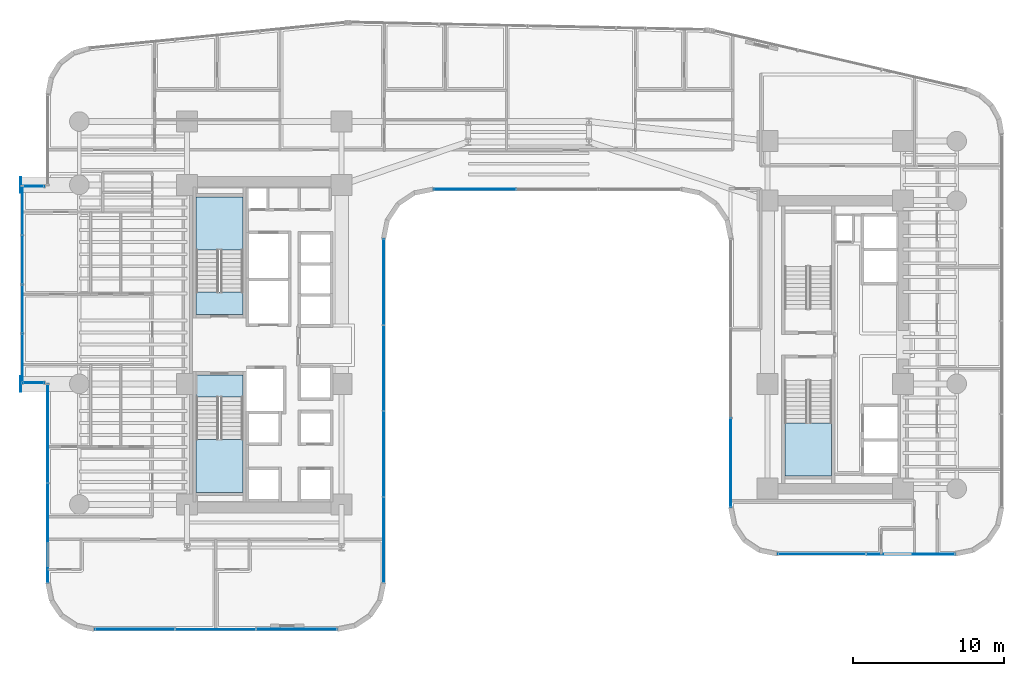
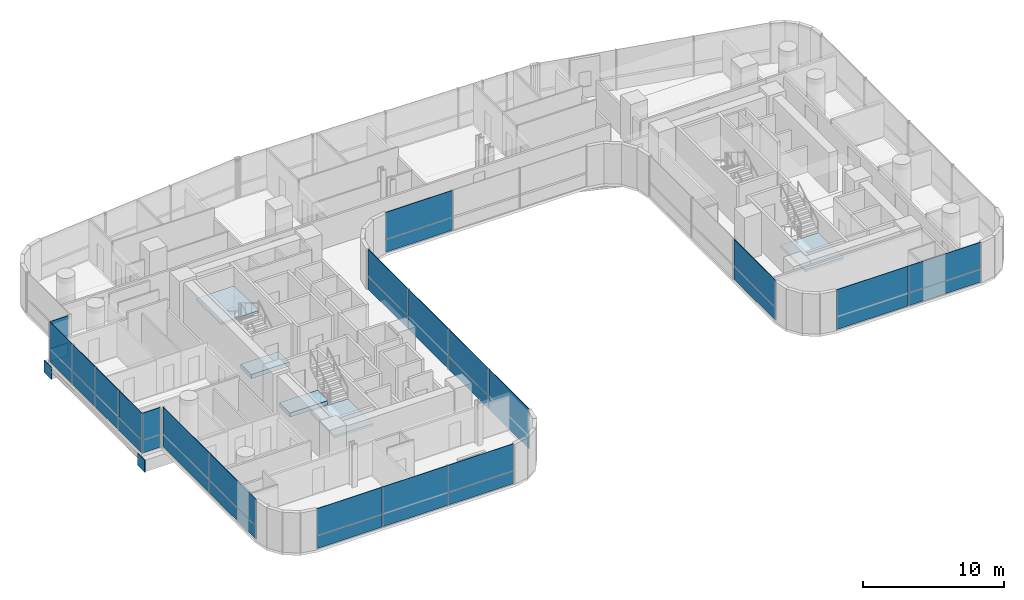
# One storey, part 27 of 40: 33 plates, 5 slabs, 12 elements without a shape of their own.
"""IFC4 building model written with IfcOpenShell, lengths in metres."""

from ifc_helpers import new_model, si_unit, direction, frame, origin, origin_2d, place, context, subcontext, project, spatial, polyline, rectangle, outline, extrude, source, transform, mapped, material, layer, layer_set, type_object, element, aggregate, save


model = new_model("IFC4")

# Units and contexts
model_context = context("Model", 3, precision=1e-05, world=origin(), true_north=direction((0.0, 1.0)))
body_context = subcontext(model_context, "Body", "Model", "MODEL_VIEW")
ifc_project = project(units=[si_unit("LENGTHUNIT", "METRE"), si_unit("AREAUNIT", "SQUARE_METRE"), si_unit("VOLUMEUNIT", "CUBIC_METRE"), si_unit("PLANEANGLEUNIT", "RADIAN"), si_unit("MASSUNIT", "GRAM", prefix="KILO")], contexts=[model_context])

# Site, building, storey
site_placement = place(None, origin())
site = spatial("IfcSite", under=ifc_project, at=site_placement, CompositionType="ELEMENT")
building_placement = place(site_placement, origin())
building = spatial("IfcBuilding", under=site, at=building_placement, Name="Valdorenza Pilgrim Sanctuary Tower", CompositionType="ELEMENT")
storey_placement = place(building_placement, frame((0.0, 0.0, 40.800048828125)))
storey = spatial("IfcBuildingStorey", under=building, at=storey_placement, Name="L09", CompositionType="ELEMENT", Elevation=40.800048828125)

# Stair, slab
ifc_material_1 = material(Name="Concrete C40/50", Category="concrete")
stair_type = type_object("IfcStairType", Name="STR-DOG-CORE", PredefinedType="HALF_TURN_STAIR", material=ifc_material_1)
stair_1_placement = place(storey_placement, origin())
stair_1 = element("IfcStair", 1, at=stair_1_placement, inside=storey, type_object=stair_type, Name="L09 ST-A1", PredefinedType="HALF_TURN_STAIR")
ifc_layer_1 = layer(ifc_material_1, 0.199951171875, Name="Concrete C40/50")
ifc_layer_set_1 = layer_set([ifc_layer_1], Name="Concrete C40/50")
slab_type_1 = type_object("IfcSlabType", Name="SLAB-STL-200", PredefinedType="LANDING", material=ifc_layer_set_1)
slab_1_placement = place(storey_placement, frame((0.0, 0.0, 1.64990234375)))
slab_1 = element("IfcSlab", 2, at=slab_1_placement, type_object=slab_type_1, Name="ST-A1 landing 1", PredefinedType="LANDING", context=body_context, shape_type="SweptSolid", body=[
    extrude(outline(polyline([(-18.93994140625, 6.280029296875), (-18.93994140625, 9.800048828125), (-22.050048828125, 9.800048828125), (-22.050048828125, 6.280029296875), (-18.93994140625, 6.280029296875)])), origin(), (0.0, 0.0, 1.0), 0.199951171875),
])
aggregate(stair_1, [slab_1])

stair_2_placement = place(storey_placement, origin())
stair_2 = element("IfcStair", 3, at=stair_2_placement, inside=storey, type_object=stair_type, Name="L09 ST-A2", PredefinedType="HALF_TURN_STAIR")
slab_2_placement = place(storey_placement, frame((0.0, 0.0, 1.64990234375)))
slab_2 = element("IfcSlab", 4, at=slab_2_placement, type_object=slab_type_1, Name="ST-A2 landing 1", PredefinedType="LANDING", context=body_context, shape_type="SweptSolid", body=[
    extrude(outline(polyline([(-22.050048828125, -6.280029296875), (-22.050048828125, -9.800048828125), (-18.93994140625, -9.800048828125), (-18.93994140625, -6.280029296875), (-22.050048828125, -6.280029296875)])), origin(), (0.0, 0.0, 1.0), 0.199951171875),
])
aggregate(stair_2, [slab_2])

stair_3_placement = place(storey_placement, origin())
stair_3 = element("IfcStair", 5, at=stair_3_placement, inside=storey, type_object=stair_type, Name="L09 ST-B2", PredefinedType="HALF_TURN_STAIR")
slab_3_placement = place(storey_placement, frame((0.0, 0.0, 1.64990234375)))
slab_3 = element("IfcSlab", 6, at=slab_3_placement, type_object=slab_type_1, Name="ST-B2 landing 1", PredefinedType="LANDING", context=body_context, shape_type="SweptSolid", body=[
    extrude(outline(polyline([(17.0, -5.179931640625), (17.0, -8.699951171875), (20.110107421875, -8.699951171875), (20.110107421875, -5.179931640625), (17.0, -5.179931640625)])), origin(), (0.0, 0.0, 1.0), 0.199951171875),
])
aggregate(stair_3, [slab_3])

# Slabs
ifc_material_2 = material(Name="Concrete C50/60", Category="concrete")
ifc_layer_2 = layer(ifc_material_2, 0.39990234375, Name="Concrete C50/60")
ifc_layer_set_2 = layer_set([ifc_layer_2], Name="Concrete C50/60")
slab_type_2 = type_object("IfcSlabType", Name="SLAB-TRF-400", PredefinedType="FLOOR", material=ifc_layer_set_2)
slab_4_placement = place(storey_placement, frame((0.0, 0.0, -0.360107421875)))
element("IfcSlab", 7, at=slab_4_placement, inside=storey, type_object=slab_type_2, Name="L09 ST-A1 Structural Stair Landing Bearing Slab", PredefinedType="FLOOR", context=body_context, shape_type="SweptSolid", body=[
    extrude(outline(polyline([(-22.050048828125, 2.0), (-18.93994140625, 2.0), (-18.93994140625, 3.485107421875), (-22.050048828125, 3.485107421875), (-22.050048828125, 2.0)])), origin(), (0.0, 0.0, 1.0), 0.360107421875),
])
slab_5_placement = place(storey_placement, frame((0.0, 0.0, -0.360107421875)))
element("IfcSlab", 8, at=slab_5_placement, inside=storey, type_object=slab_type_2, Name="L09 ST-A2 Structural Stair Landing Bearing Slab", PredefinedType="FLOOR", context=body_context, shape_type="SweptSolid", body=[
    extrude(outline(polyline([(-22.050048828125, -3.485107421875), (-18.93994140625, -3.485107421875), (-18.93994140625, -2.0), (-22.050048828125, -2.0), (-22.050048828125, -3.485107421875)])), origin(), (0.0, 0.0, 1.0), 0.360107421875),
])

# Plates
ifc_material_3 = material(Name="Steel ASTM A572 Grade 42", Category="steel")
ifc_layer_3 = layer(ifc_material_3, 0.06005859375, Name="Steel ASTM A572 Grade 42")
ifc_layer_set_3 = layer_set([ifc_layer_3], Name="Steel ASTM A572 Grade 42")
plate_type_1 = type_object("IfcPlateType", Name="PLT-CAP-60", PredefinedType="SHEET", material=ifc_layer_set_3)
shared_shape_1 = source(origin(), body_context, "Body", "SweptSolid", [
    extrude(rectangle(XDim=0.06005859375, YDim=1.0400390625, at=origin_2d()), origin(), (0.0, 0.0, 1.0), 1.0400390625),
])
for number, where, z_axis, x_axis, name in (
    (9, (-33.679931640625, 10.60009765625, -1.260009765625), (0.0, 0.0, 1.0), (1.0, 0.0, 0.0), "L09 BOX-WA-L09 Cantilever Tip End Cap N"),
    (10, (-33.679931640625, -2.60009765625, -1.260009765625), (0.0, 0.0, 1.0), (1.0, 0.0, 0.0), "L09 BOX-WA-L09 Cantilever Tip End Cap S"),
):
    element("IfcPlate", number, at=place(storey_placement, frame(where, z_axis=z_axis, x_axis=x_axis)), inside=storey, type_object=plate_type_1, Name=name, PredefinedType="SHEET", context=body_context, shape_type="MappedRepresentation", body=[
        mapped(shared_shape_1, transform((0.0, 0.0, 0.0), x_axis=(1.0, 0.0, 0.0), y_axis=(0.0, 1.0, 0.0), z_axis=(0.0, 0.0, 1.0), scale=1.0)),
    ])

# Curtain wall, plates
ifc_material_4 = material(Name="Curtain-wall IGU glazing", Category="glass")
curtain_wall_type_1 = type_object("IfcCurtainWallType", Name="CW-SYS-03", PredefinedType="NOTDEFINED", material=ifc_material_4)
curtain_wall_1_placement = place(storey_placement, origin())
curtain_wall_1 = element("IfcCurtainWall", 11, at=curtain_wall_1_placement, inside=storey, type_object=curtain_wall_type_1, Name="L09 Curtain Wall CW-L09-1-26", PredefinedType="NOTDEFINED")
ifc_material_5 = material(Name="Honed travertine limestone", Category="masonry")
ifc_layer_4 = layer(ifc_material_5, 0.050048828125, Name="Honed travertine limestone")
ifc_layer_set_4 = layer_set([ifc_layer_4], Name="Honed travertine limestone")
plate_type_2 = type_object("IfcPlateType", Name="CW-SPN-TRV", PredefinedType="USERDEFINED", material=ifc_layer_set_4)
shared_shape_2 = source(origin(), body_context, "Body", "SweptSolid", [
    extrude(rectangle(XDim=5.869140625, YDim=0.06005859375, at=origin_2d()), origin(), (0.0, 0.0, 1.0), 1.10009765625),
])
plate_1_placement = place(storey_placement, frame((25.344482421875, -13.889892578125, 0.010009765625), z_axis=(0.0, 0.0, 1.0), x_axis=(-1.0, 0.0, 0.0)))
plate_1 = element("IfcPlate", 12, at=plate_1_placement, type_object=plate_type_2, Name="CW-L09-1-26 Travertine Spandrel 1", ObjectType="SPANDREL", PredefinedType="USERDEFINED", context=body_context, shape_type="MappedRepresentation", body=[
    mapped(shared_shape_2, transform((0.0, 0.0, 0.0), x_axis=(1.0, 0.0, 0.0), y_axis=(0.0, 1.0, 0.0), z_axis=(0.0, 0.0, 1.0), scale=1.0)),
])
ifc_material_6 = material(Name="Ceramic-fritted low-E IGU glazing", Category="glass")
ifc_layer_5 = layer(ifc_material_6, 0.035888671875, Name="Ceramic-fritted low-E IGU glazing")
ifc_layer_set_5 = layer_set([ifc_layer_5], Name="Ceramic-fritted low-E IGU glazing")
plate_type_3 = type_object("IfcPlateType", Name="CW-GLZ-IGU", PredefinedType="USERDEFINED", material=ifc_layer_set_5)
shared_shape_3 = source(origin(), body_context, "Body", "SweptSolid", [
    extrude(rectangle(XDim=5.869140625, YDim=0.050048828125, at=origin_2d()), origin(), (0.0, 0.0, 1.0), 2.320068359375),
])
plate_2_placement = place(storey_placement, frame((25.344482421875, -13.889892578125, 1.1298828125), z_axis=(0.0, 0.0, 1.0), x_axis=(-1.0, 0.0, 0.0)))
plate_2 = element("IfcPlate", 13, at=plate_2_placement, type_object=plate_type_3, Name="CW-L09-1-26 Facade Panel 1", ObjectType="GLAZING", PredefinedType="USERDEFINED", context=body_context, shape_type="MappedRepresentation", body=[
    mapped(shared_shape_3, transform((0.0, 0.0, 0.0), x_axis=(1.0, 0.0, 0.0), y_axis=(0.0, 1.0, 0.0), z_axis=(0.0, 0.0, 1.0), scale=1.0)),
])
shared_shape_4 = source(origin(), body_context, "Body", "SweptSolid", [
    extrude(rectangle(XDim=5.869140625, YDim=0.050048828125, at=origin_2d()), origin(), (0.0, 0.0, 1.0), 3.43994140625),
])
plate_3_placement = place(storey_placement, frame((19.455322265625, -13.889892578125, 0.010009765625), z_axis=(0.0, 0.0, 1.0), x_axis=(-1.0, 0.0, 0.0)))
plate_3 = element("IfcPlate", 14, at=plate_3_placement, type_object=plate_type_3, Name="CW-L09-1-26 Full-Height Facade Panel 2", ObjectType="GLAZING", PredefinedType="USERDEFINED", context=body_context, shape_type="MappedRepresentation", body=[
    mapped(shared_shape_4, transform((0.0, 0.0, 0.0), x_axis=(1.0, 0.0, 0.0), y_axis=(0.0, 1.0, 0.0), z_axis=(0.0, 0.0, 1.0), scale=1.0)),
])
aggregate(curtain_wall_1, [plate_1, plate_2, plate_3])

curtain_wall_2_placement = place(storey_placement, origin())
curtain_wall_2 = element("IfcCurtainWall", 15, at=curtain_wall_2_placement, inside=storey, type_object=curtain_wall_type_1, Name="L09 Curtain Wall CW-L09-1-31", PredefinedType="NOTDEFINED")
shared_shape_5 = source(origin(), body_context, "Body", "SweptSolid", [
    extrude(rectangle(XDim=5.913330078125, YDim=0.06005859375, at=origin_2d()), origin(), (0.0, 0.0, 1.0), 1.10009765625),
])
plate_4_placement = place(storey_placement, frame((13.409912109375, -7.822509765625, 0.010009765625), z_axis=(0.0, 0.0, 1.0), x_axis=(0.0, 1.0, 0.0)))
plate_4 = element("IfcPlate", 16, at=plate_4_placement, type_object=plate_type_2, Name="CW-L09-1-31 Travertine Spandrel 1", ObjectType="SPANDREL", PredefinedType="USERDEFINED", context=body_context, shape_type="MappedRepresentation", body=[
    mapped(shared_shape_5, transform((0.0, 0.0, 0.0), x_axis=(1.0, 0.0, 0.0), y_axis=(0.0, 1.0, 0.0), z_axis=(0.0, 0.0, 1.0), scale=1.0)),
])
shared_shape_6 = source(origin(), body_context, "Body", "SweptSolid", [
    extrude(rectangle(XDim=5.913330078125, YDim=0.050048828125, at=origin_2d()), origin(), (0.0, 0.0, 1.0), 2.320068359375),
])
plate_5_placement = place(storey_placement, frame((13.409912109375, -7.822509765625, 1.1298828125), z_axis=(0.0, 0.0, 1.0), x_axis=(0.0, 1.0, 0.0)))
plate_5 = element("IfcPlate", 17, at=plate_5_placement, type_object=plate_type_3, Name="CW-L09-1-31 Facade Panel 1", ObjectType="GLAZING", PredefinedType="USERDEFINED", context=body_context, shape_type="MappedRepresentation", body=[
    mapped(shared_shape_6, transform((0.0, 0.0, 0.0), x_axis=(1.0, 0.0, 0.0), y_axis=(0.0, 1.0, 0.0), z_axis=(0.0, 0.0, 1.0), scale=1.0)),
])
aggregate(curtain_wall_2, [plate_4, plate_5])

curtain_wall_type_2 = type_object("IfcCurtainWallType", Name="CW-SYS-02", PredefinedType="NOTDEFINED", material=ifc_material_4)
curtain_wall_3_placement = place(storey_placement, origin())
curtain_wall_3 = element("IfcCurtainWall", 18, at=curtain_wall_3_placement, inside=storey, type_object=curtain_wall_type_2, Name="L09 Curtain Wall CW-L09-1-36", PredefinedType="NOTDEFINED")
shared_shape_7 = source(origin(), body_context, "Body", "SweptSolid", [
    extrude(rectangle(XDim=5.453857421875, YDim=0.06005859375, at=origin_2d()), origin(), (0.0, 0.0, 1.0), 1.10009765625),
])
plate_6_placement = place(storey_placement, frame((-3.573974609375, 10.31005859375, 0.010009765625), z_axis=(0.0, 0.0, 1.0), x_axis=(-1.0, 0.0, 0.0)))
plate_6 = element("IfcPlate", 19, at=plate_6_placement, type_object=plate_type_2, Name="CW-L09-1-36 Travertine Spandrel 3", ObjectType="SPANDREL", PredefinedType="USERDEFINED", context=body_context, shape_type="MappedRepresentation", body=[
    mapped(shared_shape_7, transform((0.0, 0.0, 0.0), x_axis=(1.0, 0.0, 0.0), y_axis=(0.0, 1.0, 0.0), z_axis=(0.0, 0.0, 1.0), scale=1.0)),
])
shared_shape_8 = source(origin(), body_context, "Body", "SweptSolid", [
    extrude(rectangle(XDim=5.453857421875, YDim=0.050048828125, at=origin_2d()), origin(), (0.0, 0.0, 1.0), 2.320068359375),
])
plate_7_placement = place(storey_placement, frame((-3.573974609375, 10.31005859375, 1.1298828125), z_axis=(0.0, 0.0, 1.0), x_axis=(-1.0, 0.0, 0.0)))
plate_7 = element("IfcPlate", 20, at=plate_7_placement, type_object=plate_type_3, Name="CW-L09-1-36 Facade Panel 3", ObjectType="GLAZING", PredefinedType="USERDEFINED", context=body_context, shape_type="MappedRepresentation", body=[
    mapped(shared_shape_8, transform((0.0, 0.0, 0.0), x_axis=(1.0, 0.0, 0.0), y_axis=(0.0, 1.0, 0.0), z_axis=(0.0, 0.0, 1.0), scale=1.0)),
])
aggregate(curtain_wall_3, [plate_6, plate_7])

curtain_wall_4_placement = place(storey_placement, origin())
curtain_wall_4 = element("IfcCurtainWall", 21, at=curtain_wall_4_placement, inside=storey, type_object=curtain_wall_type_2, Name="L09 Curtain Wall CW-L09-1-41", PredefinedType="NOTDEFINED")
shared_shape_9 = source(origin(), body_context, "Body", "SweptSolid", [
    extrude(rectangle(XDim=5.679931640625, YDim=0.06005859375, at=origin_2d()), origin(), (0.0, 0.0, 1.0), 1.10009765625),
])
plate_8_placement = place(storey_placement, frame((-9.610107421875, 4.160888671875, 0.010009765625), z_axis=(0.0, 0.0, 1.0), x_axis=(0.0, -1.0, 0.0)))
plate_8 = element("IfcPlate", 22, at=plate_8_placement, type_object=plate_type_2, Name="CW-L09-1-41 Travertine Spandrel 1", ObjectType="SPANDREL", PredefinedType="USERDEFINED", context=body_context, shape_type="MappedRepresentation", body=[
    mapped(shared_shape_9, transform((0.0, 0.0, 0.0), x_axis=(1.0, 0.0, 0.0), y_axis=(0.0, 1.0, 0.0), z_axis=(0.0, 0.0, 1.0), scale=1.0)),
])
plate_9_placement = place(storey_placement, frame((-9.610107421875, -7.2392578125, 0.010009765625), z_axis=(0.0, 0.0, 1.0), x_axis=(0.0, -1.0, 0.0)))
plate_9 = element("IfcPlate", 23, at=plate_9_placement, type_object=plate_type_2, Name="CW-L09-1-41 Travertine Spandrel 3", ObjectType="SPANDREL", PredefinedType="USERDEFINED", context=body_context, shape_type="MappedRepresentation", body=[
    mapped(shared_shape_9, transform((0.0, 0.0, 0.0), x_axis=(1.0, 0.0, 0.0), y_axis=(0.0, 1.0, 0.0), z_axis=(0.0, 0.0, 1.0), scale=1.0)),
])
shared_shape_10 = source(origin(), body_context, "Body", "SweptSolid", [
    extrude(rectangle(XDim=5.679931640625, YDim=0.050048828125, at=origin_2d()), origin(), (0.0, 0.0, 1.0), 2.320068359375),
])
plate_10_placement = place(storey_placement, frame((-9.610107421875, 4.160888671875, 1.1298828125), z_axis=(0.0, 0.0, 1.0), x_axis=(0.0, -1.0, 0.0)))
plate_10 = element("IfcPlate", 24, at=plate_10_placement, type_object=plate_type_3, Name="CW-L09-1-41 Facade Panel 1", ObjectType="GLAZING", PredefinedType="USERDEFINED", context=body_context, shape_type="MappedRepresentation", body=[
    mapped(shared_shape_10, transform((0.0, 0.0, 0.0), x_axis=(1.0, 0.0, 0.0), y_axis=(0.0, 1.0, 0.0), z_axis=(0.0, 0.0, 1.0), scale=1.0)),
])
plate_11_placement = place(storey_placement, frame((-9.610107421875, -7.2392578125, 1.1298828125), z_axis=(0.0, 0.0, 1.0), x_axis=(0.0, -1.0, 0.0)))
plate_11 = element("IfcPlate", 25, at=plate_11_placement, type_object=plate_type_3, Name="CW-L09-1-41 Facade Panel 3", ObjectType="GLAZING", PredefinedType="USERDEFINED", context=body_context, shape_type="MappedRepresentation", body=[
    mapped(shared_shape_10, transform((0.0, 0.0, 0.0), x_axis=(1.0, 0.0, 0.0), y_axis=(0.0, 1.0, 0.0), z_axis=(0.0, 0.0, 1.0), scale=1.0)),
])
shared_shape_11 = source(origin(), body_context, "Body", "SweptSolid", [
    extrude(rectangle(XDim=5.679931640625, YDim=0.050048828125, at=origin_2d()), origin(), (0.0, 0.0, 1.0), 3.43994140625),
])
plate_12_placement = place(storey_placement, frame((-9.610107421875, -1.539306640625, 0.010009765625), z_axis=(0.0, 0.0, 1.0), x_axis=(0.0, -1.0, 0.0)))
plate_12 = element("IfcPlate", 26, at=plate_12_placement, type_object=plate_type_3, Name="CW-L09-1-41 Full-Height Facade Panel 2", ObjectType="GLAZING", PredefinedType="USERDEFINED", context=body_context, shape_type="MappedRepresentation", body=[
    mapped(shared_shape_11, transform((0.0, 0.0, 0.0), x_axis=(1.0, 0.0, 0.0), y_axis=(0.0, 1.0, 0.0), z_axis=(0.0, 0.0, 1.0), scale=1.0)),
])
plate_13_placement = place(storey_placement, frame((-9.610107421875, -12.939208984375, 0.010009765625), z_axis=(0.0, 0.0, 1.0), x_axis=(0.0, -1.0, 0.0)))
plate_13 = element("IfcPlate", 27, at=plate_13_placement, type_object=plate_type_3, Name="CW-L09-1-41 Full-Height Facade Panel 4", ObjectType="GLAZING", PredefinedType="USERDEFINED", context=body_context, shape_type="MappedRepresentation", body=[
    mapped(shared_shape_11, transform((0.0, 0.0, 0.0), x_axis=(1.0, 0.0, 0.0), y_axis=(0.0, 1.0, 0.0), z_axis=(0.0, 0.0, 1.0), scale=1.0)),
])
aggregate(curtain_wall_4, [plate_8, plate_10, plate_12, plate_9, plate_11, plate_13])

curtain_wall_5_placement = place(storey_placement, origin())
curtain_wall_5 = element("IfcCurtainWall", 28, at=curtain_wall_5_placement, inside=storey, type_object=curtain_wall_type_2, Name="L09 Curtain Wall CW-L09-1-46", PredefinedType="NOTDEFINED")
shared_shape_12 = source(origin(), body_context, "Body", "SweptSolid", [
    extrude(rectangle(XDim=5.339599609375, YDim=0.06005859375, at=origin_2d()), origin(), (0.0, 0.0, 1.0), 1.10009765625),
])
plate_14_placement = place(storey_placement, frame((-15.390380859375, -18.889892578125, 0.010009765625), z_axis=(0.0, 0.0, 1.0), x_axis=(-1.0, 0.0, 0.0)))
plate_14 = element("IfcPlate", 29, at=plate_14_placement, type_object=plate_type_2, Name="CW-L09-1-46 Travertine Spandrel 1", ObjectType="SPANDREL", PredefinedType="USERDEFINED", context=body_context, shape_type="MappedRepresentation", body=[
    mapped(shared_shape_12, transform((0.0, 0.0, 0.0), x_axis=(1.0, 0.0, 0.0), y_axis=(0.0, 1.0, 0.0), z_axis=(0.0, 0.0, 1.0), scale=1.0)),
])
plate_15_placement = place(storey_placement, frame((-26.109619140625, -18.889892578125, 0.010009765625), z_axis=(0.0, 0.0, 1.0), x_axis=(-1.0, 0.0, 0.0)))
plate_15 = element("IfcPlate", 30, at=plate_15_placement, type_object=plate_type_2, Name="CW-L09-1-46 Travertine Spandrel 3", ObjectType="SPANDREL", PredefinedType="USERDEFINED", context=body_context, shape_type="MappedRepresentation", body=[
    mapped(shared_shape_12, transform((0.0, 0.0, 0.0), x_axis=(1.0, 0.0, 0.0), y_axis=(0.0, 1.0, 0.0), z_axis=(0.0, 0.0, 1.0), scale=1.0)),
])
shared_shape_13 = source(origin(), body_context, "Body", "SweptSolid", [
    extrude(rectangle(XDim=5.339599609375, YDim=0.050048828125, at=origin_2d()), origin(), (0.0, 0.0, 1.0), 2.320068359375),
])
plate_16_placement = place(storey_placement, frame((-15.390380859375, -18.889892578125, 1.1298828125), z_axis=(0.0, 0.0, 1.0), x_axis=(-1.0, 0.0, 0.0)))
plate_16 = element("IfcPlate", 31, at=plate_16_placement, type_object=plate_type_3, Name="CW-L09-1-46 Facade Panel 1", ObjectType="GLAZING", PredefinedType="USERDEFINED", context=body_context, shape_type="MappedRepresentation", body=[
    mapped(shared_shape_13, transform((0.0, 0.0, 0.0), x_axis=(1.0, 0.0, 0.0), y_axis=(0.0, 1.0, 0.0), z_axis=(0.0, 0.0, 1.0), scale=1.0)),
])
plate_17_placement = place(storey_placement, frame((-26.109619140625, -18.889892578125, 1.1298828125), z_axis=(0.0, 0.0, 1.0), x_axis=(-1.0, 0.0, 0.0)))
plate_17 = element("IfcPlate", 32, at=plate_17_placement, type_object=plate_type_3, Name="CW-L09-1-46 Facade Panel 3", ObjectType="GLAZING", PredefinedType="USERDEFINED", context=body_context, shape_type="MappedRepresentation", body=[
    mapped(shared_shape_13, transform((0.0, 0.0, 0.0), x_axis=(1.0, 0.0, 0.0), y_axis=(0.0, 1.0, 0.0), z_axis=(0.0, 0.0, 1.0), scale=1.0)),
])
shared_shape_14 = source(origin(), body_context, "Body", "SweptSolid", [
    extrude(rectangle(XDim=5.339599609375, YDim=0.050048828125, at=origin_2d()), origin(), (0.0, 0.0, 1.0), 3.43994140625),
])
plate_18_placement = place(storey_placement, frame((-20.75, -18.889892578125, 0.010009765625), z_axis=(0.0, 0.0, 1.0), x_axis=(-1.0, 0.0, 0.0)))
plate_18 = element("IfcPlate", 33, at=plate_18_placement, type_object=plate_type_3, Name="CW-L09-1-46 Full-Height Facade Panel 2", ObjectType="GLAZING", PredefinedType="USERDEFINED", context=body_context, shape_type="MappedRepresentation", body=[
    mapped(shared_shape_14, transform((0.0, 0.0, 0.0), x_axis=(1.0, 0.0, 0.0), y_axis=(0.0, 1.0, 0.0), z_axis=(0.0, 0.0, 1.0), scale=1.0)),
])
aggregate(curtain_wall_5, [plate_14, plate_16, plate_18, plate_15, plate_17])

# Curtain wall, plate
curtain_wall_6_placement = place(storey_placement, origin())
curtain_wall_6 = element("IfcCurtainWall", 34, at=curtain_wall_6_placement, inside=storey, type_object=curtain_wall_type_2, Name="L09 Curtain Wall CW-L09-BOX-WA-L09-S", PredefinedType="NOTDEFINED")
shared_shape_15 = source(origin(), body_context, "Body", "SweptSolid", [
    extrude(rectangle(XDim=1.43994140625, YDim=0.06005859375, at=origin_2d()), origin(), (0.0, 0.0, 1.0), 1.10009765625),
])
plate_19_placement = place(storey_placement, frame((-32.840087890625, -2.52001953125, 0.010009765625), z_axis=(0.0, 0.0, 1.0), x_axis=(-1.0, 0.0, 0.0)))
plate_19 = element("IfcPlate", 35, at=plate_19_placement, type_object=plate_type_2, Name="CW-L09-BOX-WA-L09-S Travertine Spandrel 1", ObjectType="SPANDREL", PredefinedType="USERDEFINED", context=body_context, shape_type="MappedRepresentation", body=[
    mapped(shared_shape_15, transform((0.0, 0.0, 0.0), x_axis=(1.0, 0.0, 0.0), y_axis=(0.0, 1.0, 0.0), z_axis=(0.0, 0.0, 1.0), scale=1.0)),
])

curtain_wall_7_placement = place(storey_placement, origin())
curtain_wall_7 = element("IfcCurtainWall", 36, at=curtain_wall_7_placement, inside=storey, type_object=curtain_wall_type_2, Name="L09 Curtain Wall CW-L09-BOX-WA-L09-N", PredefinedType="NOTDEFINED")
plate_20_placement = place(storey_placement, frame((-32.840087890625, 10.52001953125, 0.010009765625), z_axis=(0.0, 0.0, 1.0), x_axis=(1.0, 0.0, 0.0)))
plate_20 = element("IfcPlate", 37, at=plate_20_placement, type_object=plate_type_2, Name="CW-L09-BOX-WA-L09-N Travertine Spandrel 1", ObjectType="SPANDREL", PredefinedType="USERDEFINED", context=body_context, shape_type="MappedRepresentation", body=[
    mapped(shared_shape_15, transform((0.0, 0.0, 0.0), x_axis=(1.0, 0.0, 0.0), y_axis=(0.0, 1.0, 0.0), z_axis=(0.0, 0.0, 1.0), scale=1.0)),
])

# Plate
shared_shape_16 = source(origin(), body_context, "Body", "SweptSolid", [
    extrude(rectangle(XDim=1.43994140625, YDim=0.050048828125, at=origin_2d()), origin(), (0.0, 0.0, 1.0), 2.320068359375),
])
plate_21_placement = place(storey_placement, frame((-32.840087890625, -2.52001953125, 1.1298828125), z_axis=(0.0, 0.0, 1.0), x_axis=(-1.0, 0.0, 0.0)))
plate_21 = element("IfcPlate", 38, at=plate_21_placement, type_object=plate_type_3, Name="CW-L09-BOX-WA-L09-S Facade Panel 1", ObjectType="GLAZING", PredefinedType="USERDEFINED", context=body_context, shape_type="MappedRepresentation", body=[
    mapped(shared_shape_16, transform((0.0, 0.0, 0.0), x_axis=(1.0, 0.0, 0.0), y_axis=(0.0, 1.0, 0.0), z_axis=(0.0, 0.0, 1.0), scale=1.0)),
])

aggregate(curtain_wall_6, [plate_19, plate_21])

plate_22_placement = place(storey_placement, frame((-32.840087890625, 10.52001953125, 1.1298828125), z_axis=(0.0, 0.0, 1.0), x_axis=(1.0, 0.0, 0.0)))
plate_22 = element("IfcPlate", 39, at=plate_22_placement, type_object=plate_type_3, Name="CW-L09-BOX-WA-L09-N Facade Panel 1", ObjectType="GLAZING", PredefinedType="USERDEFINED", context=body_context, shape_type="MappedRepresentation", body=[
    mapped(shared_shape_16, transform((0.0, 0.0, 0.0), x_axis=(1.0, 0.0, 0.0), y_axis=(0.0, 1.0, 0.0), z_axis=(0.0, 0.0, 1.0), scale=1.0)),
])

aggregate(curtain_wall_7, [plate_20, plate_22])

# Curtain wall, plates
curtain_wall_8_placement = place(storey_placement, origin())
curtain_wall_8 = element("IfcCurtainWall", 40, at=curtain_wall_8_placement, inside=storey, type_object=curtain_wall_type_2, Name="L09 Curtain Wall CW-L09-1-1S1", PredefinedType="NOTDEFINED")
shared_shape_17 = source(origin(), body_context, "Body", "SweptSolid", [
    extrude(rectangle(XDim=6.57470703125, YDim=0.06005859375, at=origin_2d()), origin(), (0.0, 0.0, 1.0), 1.10009765625),
])
plate_23_placement = place(storey_placement, frame((-31.889892578125, -12.491943359375, 0.010009765625), z_axis=(0.0, 0.0, 1.0), x_axis=(0.0, 1.0, 0.0)))
plate_23 = element("IfcPlate", 41, at=plate_23_placement, type_object=plate_type_2, Name="CW-L09-1-1S1 Travertine Spandrel 1", ObjectType="SPANDREL", PredefinedType="USERDEFINED", context=body_context, shape_type="MappedRepresentation", body=[
    mapped(shared_shape_17, transform((0.0, 0.0, 0.0), x_axis=(1.0, 0.0, 0.0), y_axis=(0.0, 1.0, 0.0), z_axis=(0.0, 0.0, 1.0), scale=1.0)),
])
shared_shape_18 = source(origin(), body_context, "Body", "SweptSolid", [
    extrude(rectangle(XDim=6.57470703125, YDim=0.050048828125, at=origin_2d()), origin(), (0.0, 0.0, 1.0), 2.320068359375),
])
plate_24_placement = place(storey_placement, frame((-31.889892578125, -12.491943359375, 1.1298828125), z_axis=(0.0, 0.0, 1.0), x_axis=(0.0, 1.0, 0.0)))
plate_24 = element("IfcPlate", 42, at=plate_24_placement, type_object=plate_type_3, Name="CW-L09-1-1S1 Facade Panel 1", ObjectType="GLAZING", PredefinedType="USERDEFINED", context=body_context, shape_type="MappedRepresentation", body=[
    mapped(shared_shape_18, transform((0.0, 0.0, 0.0), x_axis=(1.0, 0.0, 0.0), y_axis=(0.0, 1.0, 0.0), z_axis=(0.0, 0.0, 1.0), scale=1.0)),
])
shared_shape_19 = source(origin(), body_context, "Body", "SweptSolid", [
    extrude(rectangle(XDim=6.57470703125, YDim=0.050048828125, at=origin_2d()), origin(), (0.0, 0.0, 1.0), 3.43994140625),
])
plate_25_placement = place(storey_placement, frame((-31.889892578125, -5.897216796875, 0.010009765625), z_axis=(0.0, 0.0, 1.0), x_axis=(0.0, 1.0, 0.0)))
plate_25 = element("IfcPlate", 43, at=plate_25_placement, type_object=plate_type_3, Name="CW-L09-1-1S1 Full-Height Facade Panel 2", ObjectType="GLAZING", PredefinedType="USERDEFINED", context=body_context, shape_type="MappedRepresentation", body=[
    mapped(shared_shape_19, transform((0.0, 0.0, 0.0), x_axis=(1.0, 0.0, 0.0), y_axis=(0.0, 1.0, 0.0), z_axis=(0.0, 0.0, 1.0), scale=1.0)),
])
aggregate(curtain_wall_8, [plate_23, plate_24, plate_25])

curtain_wall_9_placement = place(storey_placement, origin())
curtain_wall_9 = element("IfcCurtainWall", 44, at=curtain_wall_9_placement, inside=storey, type_object=curtain_wall_type_2, Name="L09 Curtain Wall CW-L09-BOX-WA-L09-F", PredefinedType="NOTDEFINED")
shared_shape_20 = source(origin(), body_context, "Body", "SweptSolid", [
    extrude(rectangle(XDim=3.239990234375, YDim=0.06005859375, at=origin_2d()), origin(), (0.0, 0.0, 1.0), 1.10009765625),
])
plate_26_placement = place(storey_placement, frame((-33.570068359375, -0.889892578125, 0.010009765625), z_axis=(0.0, 0.0, 1.0), x_axis=(0.0, 1.0, 0.0)))
plate_26 = element("IfcPlate", 45, at=plate_26_placement, type_object=plate_type_2, Name="CW-L09-BOX-WA-L09-F Travertine Spandrel 1", ObjectType="SPANDREL", PredefinedType="USERDEFINED", context=body_context, shape_type="MappedRepresentation", body=[
    mapped(shared_shape_20, transform((0.0, 0.0, 0.0), x_axis=(1.0, 0.0, 0.0), y_axis=(0.0, 1.0, 0.0), z_axis=(0.0, 0.0, 1.0), scale=1.0)),
])
plate_27_placement = place(storey_placement, frame((-33.570068359375, 5.6298828125, 0.010009765625), z_axis=(0.0, 0.0, 1.0), x_axis=(0.0, 1.0, 0.0)))
plate_27 = element("IfcPlate", 46, at=plate_27_placement, type_object=plate_type_2, Name="CW-L09-BOX-WA-L09-F Travertine Spandrel 3", ObjectType="SPANDREL", PredefinedType="USERDEFINED", context=body_context, shape_type="MappedRepresentation", body=[
    mapped(shared_shape_20, transform((0.0, 0.0, 0.0), x_axis=(1.0, 0.0, 0.0), y_axis=(0.0, 1.0, 0.0), z_axis=(0.0, 0.0, 1.0), scale=1.0)),
])
shared_shape_21 = source(origin(), body_context, "Body", "SweptSolid", [
    extrude(rectangle(XDim=3.239990234375, YDim=0.050048828125, at=origin_2d()), origin(), (0.0, 0.0, 1.0), 2.320068359375),
])
plate_28_placement = place(storey_placement, frame((-33.570068359375, -0.889892578125, 1.1298828125), z_axis=(0.0, 0.0, 1.0), x_axis=(0.0, 1.0, 0.0)))
plate_28 = element("IfcPlate", 47, at=plate_28_placement, type_object=plate_type_3, Name="CW-L09-BOX-WA-L09-F Facade Panel 1", ObjectType="GLAZING", PredefinedType="USERDEFINED", context=body_context, shape_type="MappedRepresentation", body=[
    mapped(shared_shape_21, transform((0.0, 0.0, 0.0), x_axis=(1.0, 0.0, 0.0), y_axis=(0.0, 1.0, 0.0), z_axis=(0.0, 0.0, 1.0), scale=1.0)),
])
plate_29_placement = place(storey_placement, frame((-33.570068359375, 5.6298828125, 1.1298828125), z_axis=(0.0, 0.0, 1.0), x_axis=(0.0, 1.0, 0.0)))
plate_29 = element("IfcPlate", 48, at=plate_29_placement, type_object=plate_type_3, Name="CW-L09-BOX-WA-L09-F Facade Panel 3", ObjectType="GLAZING", PredefinedType="USERDEFINED", context=body_context, shape_type="MappedRepresentation", body=[
    mapped(shared_shape_21, transform((0.0, 0.0, 0.0), x_axis=(1.0, 0.0, 0.0), y_axis=(0.0, 1.0, 0.0), z_axis=(0.0, 0.0, 1.0), scale=1.0)),
])
shared_shape_22 = source(origin(), body_context, "Body", "SweptSolid", [
    extrude(rectangle(XDim=3.239990234375, YDim=0.050048828125, at=origin_2d()), origin(), (0.0, 0.0, 1.0), 3.43994140625),
])
plate_30_placement = place(storey_placement, frame((-33.570068359375, 2.3701171875, 0.010009765625), z_axis=(0.0, 0.0, 1.0), x_axis=(0.0, 1.0, 0.0)))
plate_30 = element("IfcPlate", 49, at=plate_30_placement, type_object=plate_type_3, Name="CW-L09-BOX-WA-L09-F Full-Height Facade Panel 2", ObjectType="GLAZING", PredefinedType="USERDEFINED", context=body_context, shape_type="MappedRepresentation", body=[
    mapped(shared_shape_22, transform((0.0, 0.0, 0.0), x_axis=(1.0, 0.0, 0.0), y_axis=(0.0, 1.0, 0.0), z_axis=(0.0, 0.0, 1.0), scale=1.0)),
])
plate_31_placement = place(storey_placement, frame((-33.570068359375, 8.889892578125, 0.010009765625), z_axis=(0.0, 0.0, 1.0), x_axis=(0.0, 1.0, 0.0)))
plate_31 = element("IfcPlate", 50, at=plate_31_placement, type_object=plate_type_3, Name="CW-L09-BOX-WA-L09-F Full-Height Facade Panel 4", ObjectType="GLAZING", PredefinedType="USERDEFINED", context=body_context, shape_type="MappedRepresentation", body=[
    mapped(shared_shape_22, transform((0.0, 0.0, 0.0), x_axis=(1.0, 0.0, 0.0), y_axis=(0.0, 1.0, 0.0), z_axis=(0.0, 0.0, 1.0), scale=1.0)),
])
aggregate(curtain_wall_9, [plate_26, plate_28, plate_30, plate_27, plate_29, plate_31])

save(model, "model.ifc")
